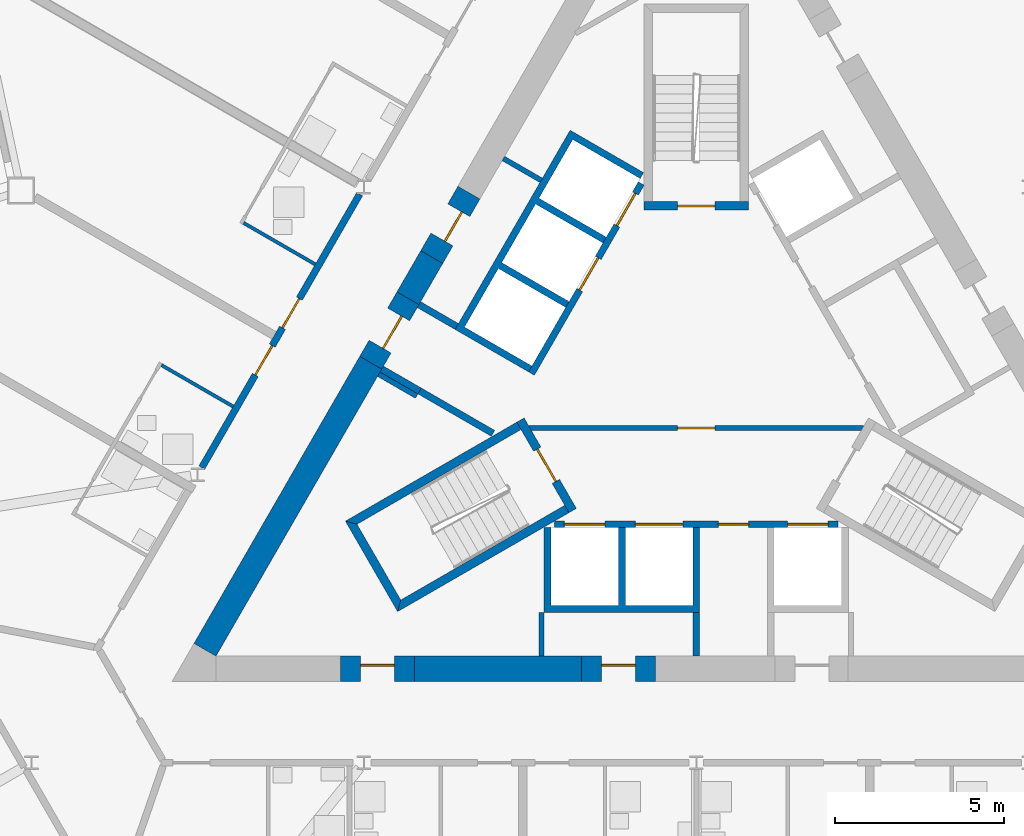
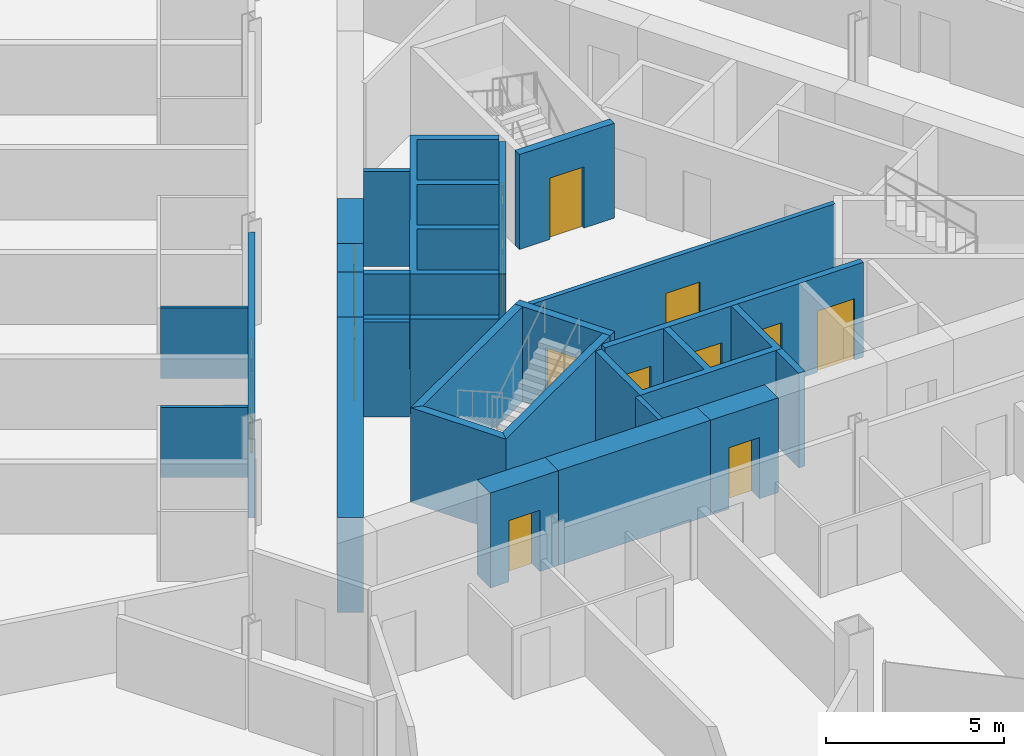
# One storey, part 11 of 23: 27 walls, 15 doors, 15 openings.
"""IFC4 building model written with IfcOpenShell, lengths in metres."""

from ifc_helpers import new_model, si_unit, direction, frame, frame_2d, origin, place, context, subcontext, project, spatial, polyline, rectangle, outline, extrude, material, layer, layer_set, type_object, element, fill, save


model = new_model("IFC4")

# Units and contexts
model_context = context("Model", 3, precision=1e-05, world=origin(), true_north=direction((0.0, 1.0)))
body_context = subcontext(model_context, "Body", "Model", "MODEL_VIEW")
ifc_project = project(units=[si_unit("LENGTHUNIT", "METRE"), si_unit("AREAUNIT", "SQUARE_METRE"), si_unit("VOLUMEUNIT", "CUBIC_METRE"), si_unit("PLANEANGLEUNIT", "RADIAN"), si_unit("MASSUNIT", "GRAM", prefix="KILO")], contexts=[model_context])

# Site, building, storey
site_placement = place(None, origin())
site = spatial("IfcSite", under=ifc_project, at=site_placement, CompositionType="ELEMENT")
building_placement = place(site_placement, origin())
building = spatial("IfcBuilding", under=site, at=building_placement, Name="Cormorant Prow Tower", CompositionType="ELEMENT")
storey_placement = place(building_placement, frame((0.0, 0.0, 187.199951171875)))
storey = spatial("IfcBuildingStorey", under=building, at=storey_placement, Name="L40", CompositionType="ELEMENT", Elevation=187.199951171875)

# Wall, opening, door
ifc_material_1 = material(Name="Gypsum board partition")
ifc_layer_1 = layer(ifc_material_1, 0.14990234375)
ifc_layer_set_1 = layer_set([ifc_layer_1], Name="Gypsum board partition")
wall_type_1 = type_object("IfcWallType", Name="Core partition 150", PredefinedType="PARTITIONING", material=ifc_layer_set_1)
wall_1_placement = place(storey_placement, frame((-4.941162109375, -1.449951171875, 0.0), z_axis=(0.0, 0.0, 1.0), x_axis=(1.0, 0.0, 0.0)))
wall_1 = element("IfcWall", 1, at=wall_1_placement, inside=storey, type_object=wall_type_1, Name="Firefighting lobby partition", PredefinedType="PARTITIONING", context=body_context, shape_type="SweptSolid", body=[
    extrude(rectangle(XDim=9.88232421875, YDim=0.14990234375, at=frame_2d((4.941162109375, 0.0))), origin(), (0.0, 0.0, 1.0), 3.25),
])
opening_1_placement = place(wall_1_placement, frame((4.39111328125, 0.0, 0.0)))
opening_1 = element("IfcOpeningElement", 2, at=opening_1_placement, cuts=wall_1, Name="Opening L40-C10", PredefinedType="OPENING", context=body_context, shape_type="SweptSolid", body=[
    extrude(rectangle(XDim=1.10009765625, YDim=2.10009765625, at=frame_2d((0.550048828125, 1.050048828125))), frame((0.0, 0.0849609375, 0.0), z_axis=(0.0, -1.0, 0.0), x_axis=(1.0, 0.0, 0.0)), (0.0, 0.0, 1.0), 0.169921875),
])
ifc_material_2 = material(Name="Painted steel", Category="steel")
door_type_1 = type_object("IfcDoorType", Name="Firefighting lobby door 1100x2100", OperationType="NOTDEFINED", PredefinedType="DOOR", material=ifc_material_2)
door_1_placement = place(opening_1_placement, origin())
door_1 = element("IfcDoor", 3, at=door_1_placement, inside=storey, type_object=door_type_1, Name="Firefighting lobby door", OperationType="SINGLE_SWING_LEFT", OverallHeight=2.10009765625, OverallWidth=1.10009765625, PredefinedType="DOOR", context=body_context, shape_type="SweptSolid", body=[
    extrude(rectangle(XDim=1.10009765625, YDim=2.10009765625, at=frame_2d((0.550048828125, 1.050048828125))), frame((0.0, 0.02490234375, 0.0), z_axis=(0.0, -1.0, 0.0), x_axis=(1.0, 0.0, 0.0)), (0.0, 0.0, 1.0), 0.050048828125),
])
fill(opening_1, door_1)

# Walls
for number, where, z_axis, x_axis, name in (
    (4, (-4.574951171875, -6.906005859375, 0.0), (0.0, 0.0, 1.0), (0.0, -1.0, 0.0), "Service room partition"),
    (5, (-8.268310546875, -0.509033203125, 0.0), (0.0, 0.0, 1.0), (-0.866003189247, 0.500038474733, 0.0), "Service room partition"),
    (6, (-5.705322265625, 6.515869140625, 0.0), (0.0, 0.0, 1.0), (0.866003189247, -0.500038474733, 0.0), "Service room partition"),
):
    element("IfcWall", number, at=place(storey_placement, frame(where, z_axis=z_axis, x_axis=x_axis)), inside=storey, type_object=wall_type_1, Name=name, PredefinedType="PARTITIONING", context=body_context, shape_type="SweptSolid", body=[
        extrude(rectangle(XDim=1.29296875, YDim=0.14990234375, at=frame_2d((0.646484375, 0.0))), origin(), (0.0, 0.0, 1.0), 3.25),
    ])
ifc_material_3 = material(Name="Concrete 8000 psi", Category="concrete")
ifc_layer_2 = layer(ifc_material_3, 0.75)
ifc_layer_set_2 = layer_set([ifc_layer_2], Name="Concrete 8000 psi")
wall_type_2 = type_object("IfcWallType", Name="Core shear wall 750", PredefinedType="SHEAR", material=ifc_layer_set_2)
wall_2_placement = place(storey_placement, frame((-8.325439453125, -8.573974609375, 0.0), z_axis=(0.0, 0.0, 1.0), x_axis=(1.0, 0.0, 0.0)))
element("IfcWall", 7, at=wall_2_placement, inside=storey, type_object=wall_type_2, Name="Core wall", PredefinedType="SHEAR", context=body_context, shape_type="SweptSolid", body=[
    extrude(rectangle(XDim=4.925537109375, YDim=0.75, at=frame_2d((2.462890625, 0.0))), origin(), (0.0, 0.0, 1.0), 3.25),
])
wall_3_placement = place(storey_placement, frame((-9.625244140625, 0.4765625, 0.0), z_axis=(0.0, 0.0, 1.0), x_axis=(-0.499986234705, -0.866033351035, 0.0)))
element("IfcWall", 8, at=wall_3_placement, inside=storey, type_object=wall_type_2, Name="Core wall", PredefinedType="SHEAR", context=body_context, shape_type="SweptSolid", body=[
    extrude(rectangle(XDim=9.801025390625, YDim=0.75, at=frame_2d((4.900390625, 0.0))), origin(), (0.0, 0.0, 1.0), 3.25),
])
wall_4_placement = place(storey_placement, frame((-7.8212890625, 3.600830078125, 0.0), z_axis=(0.0, 0.0, 1.0), x_axis=(-0.49996263964, -0.866046972724, 0.0)))
element("IfcWall", 9, at=wall_4_placement, inside=storey, type_object=wall_type_2, Name="Core wall", PredefinedType="SHEAR", context=body_context, shape_type="SweptSolid", body=[
    extrude(rectangle(XDim=1.40771484375, YDim=0.75, at=frame_2d((0.703857421875, 0.0))), origin(), (0.0, 0.0, 1.0), 3.25),
])

# Wall, opening, door
wall_5_placement = place(storey_placement, frame((-3.39990234375, -8.573974609375, 0.0), z_axis=(0.0, 0.0, 1.0), x_axis=(1.0, 0.0, 0.0)))
wall_5 = element("IfcWall", 10, at=wall_5_placement, inside=storey, type_object=wall_type_2, Name="Core wall door panel", PredefinedType="SHEAR", context=body_context, shape_type="SweptSolid", body=[
    extrude(rectangle(XDim=2.199951171875, YDim=0.75, at=frame_2d((1.10009765625, 0.0))), origin(), (0.0, 0.0, 1.0), 3.25),
])
opening_2_placement = place(wall_5_placement, frame((0.60009765625, 0.0, 0.0)))
opening_2 = element("IfcOpeningElement", 11, at=opening_2_placement, cuts=wall_5, Name="Opening L40-C14", PredefinedType="OPENING", context=body_context, shape_type="SweptSolid", body=[
    extrude(rectangle(XDim=1.0, YDim=2.10009765625, at=frame_2d((0.5, 1.050048828125))), frame((0.0, 0.385009765625, 0.0), z_axis=(0.0, -1.0, 0.0), x_axis=(1.0, 0.0, 0.0)), (0.0, 0.0, 1.0), 0.77001953125),
])
ifc_material_4 = material(Name="Painted steel", Category="steel")
door_type_2 = type_object("IfcDoorType", Name="Service door 1000x2100", OperationType="NOTDEFINED", PredefinedType="DOOR", material=ifc_material_4)
door_2_placement = place(opening_2_placement, origin())
door_2 = element("IfcDoor", 12, at=door_2_placement, inside=storey, type_object=door_type_2, Name="Core door, Housekeeping store", OperationType="SINGLE_SWING_RIGHT", OverallHeight=2.10009765625, OverallWidth=1.0, PredefinedType="DOOR", context=body_context, shape_type="SweptSolid", body=[
    extrude(rectangle(XDim=1.0, YDim=2.10009765625, at=frame_2d((0.5, 1.050048828125))), frame((0.0, 0.1298828125, 0.0), z_axis=(0.0, -1.0, 0.0), x_axis=(1.0, 0.0, 0.0)), (0.0, 0.0, 1.0), 0.050048828125),
])
fill(opening_2, door_2)

wall_6_placement = place(storey_placement, frame((-10.525390625, -8.573974609375, 0.0), z_axis=(0.0, 0.0, 1.0), x_axis=(1.0, 0.0, 0.0)))
wall_6 = element("IfcWall", 13, at=wall_6_placement, inside=storey, type_object=wall_type_2, Name="Core wall door panel", PredefinedType="SHEAR", context=body_context, shape_type="SweptSolid", body=[
    extrude(rectangle(XDim=2.199951171875, YDim=0.75, at=frame_2d((1.10009765625, 0.0))), origin(), (0.0, 0.0, 1.0), 3.25),
])
opening_3_placement = place(wall_6_placement, frame((0.60009765625, 0.0, 0.0)))
opening_3 = element("IfcOpeningElement", 14, at=opening_3_placement, cuts=wall_6, Name="Opening L40-C16", PredefinedType="OPENING", context=body_context, shape_type="SweptSolid", body=[
    extrude(rectangle(XDim=1.0, YDim=2.10009765625, at=frame_2d((0.5, 1.050048828125))), frame((0.0, 0.385009765625, 0.0), z_axis=(0.0, -1.0, 0.0), x_axis=(1.0, 0.0, 0.0)), (0.0, 0.0, 1.0), 0.77001953125),
])
door_3_placement = place(opening_3_placement, origin())
door_3 = element("IfcDoor", 15, at=door_3_placement, inside=storey, type_object=door_type_2, Name="Core door, Linen store", OperationType="SINGLE_SWING_RIGHT", OverallHeight=2.10009765625, OverallWidth=1.0, PredefinedType="DOOR", context=body_context, shape_type="SweptSolid", body=[
    extrude(rectangle(XDim=1.0, YDim=2.10009765625, at=frame_2d((0.5, 1.050048828125))), frame((0.0, 0.1298828125, 0.0), z_axis=(0.0, -1.0, 0.0), x_axis=(1.0, 0.0, 0.0)), (0.0, 0.0, 1.0), 0.050048828125),
])
fill(opening_3, door_3)

wall_7_placement = place(storey_placement, frame((-6.721435546875, 5.506103515625, 0.0), z_axis=(0.0, 0.0, 1.0), x_axis=(-0.499946605688, -0.86605622881, 0.0)))
wall_7 = element("IfcWall", 16, at=wall_7_placement, inside=storey, type_object=wall_type_2, Name="Core wall door panel", PredefinedType="SHEAR", context=body_context, shape_type="SweptSolid", body=[
    extrude(rectangle(XDim=2.199951171875, YDim=0.75, at=frame_2d((1.10009765625, 0.0))), origin(), (0.0, 0.0, 1.0), 3.25),
])
opening_4_placement = place(wall_7_placement, frame((0.60009765625, 0.0, 0.0)))
opening_4 = element("IfcOpeningElement", 17, at=opening_4_placement, cuts=wall_7, Name="Opening L40-C19", PredefinedType="OPENING", context=body_context, shape_type="SweptSolid", body=[
    extrude(rectangle(XDim=1.0, YDim=2.10009765625, at=frame_2d((0.5, 1.050048828125))), frame((0.0, 0.385009765625, 0.0), z_axis=(0.0, -1.0, 0.0), x_axis=(1.0, 0.0, 0.0)), (0.0, 0.0, 1.0), 0.77001953125),
])
door_4_placement = place(opening_4_placement, origin())
door_4 = element("IfcDoor", 18, at=door_4_placement, inside=storey, type_object=door_type_2, Name="Core door, Electrical room", OperationType="SINGLE_SWING_LEFT", OverallHeight=2.10009765625, OverallWidth=1.0, PredefinedType="DOOR", context=body_context, shape_type="SweptSolid", body=[
    extrude(rectangle(XDim=1.0, YDim=2.10009765625, at=frame_2d((0.5, 1.050048828125))), frame((0.0, 0.1298828125, 0.0), z_axis=(0.0, -1.0, 0.0), x_axis=(1.0, 0.0, 0.0)), (0.0, 0.0, 1.0), 0.050048828125),
])
fill(opening_4, door_4)

wall_8_placement = place(storey_placement, frame((-8.525146484375, 2.381591796875, 0.0), z_axis=(0.0, 0.0, 1.0), x_axis=(-0.500077893725, -0.86598042715, 0.0)))
wall_8 = element("IfcWall", 19, at=wall_8_placement, inside=storey, type_object=wall_type_2, Name="Core wall door panel", PredefinedType="SHEAR", context=body_context, shape_type="SweptSolid", body=[
    extrude(rectangle(XDim=2.199951171875, YDim=0.75, at=frame_2d((1.10009765625, 0.0))), origin(), (0.0, 0.0, 1.0), 3.25),
])
opening_5_placement = place(wall_8_placement, frame((0.550048828125, 0.0, 0.0)))
opening_5 = element("IfcOpeningElement", 20, at=opening_5_placement, cuts=wall_8, Name="Opening L40-C22", PredefinedType="OPENING", context=body_context, shape_type="SweptSolid", body=[
    extrude(rectangle(XDim=1.10009765625, YDim=2.10009765625, at=frame_2d((0.550048828125, 1.050048828125))), frame((0.0, 0.385009765625, 0.0), z_axis=(0.0, -1.0, 0.0), x_axis=(1.0, 0.0, 0.0)), (0.0, 0.0, 1.0), 0.77001953125),
])
ifc_material_5 = material(Name="Painted steel", Category="steel")
door_type_3 = type_object("IfcDoorType", Name="Core door 1100x2100", OperationType="NOTDEFINED", PredefinedType="DOOR", material=ifc_material_5)
door_5_placement = place(opening_5_placement, origin())
door_5 = element("IfcDoor", 21, at=door_5_placement, inside=storey, type_object=door_type_3, Name="Core door, lift lobby", OperationType="SINGLE_SWING_RIGHT", OverallHeight=2.10009765625, OverallWidth=1.10009765625, PredefinedType="DOOR", context=body_context, shape_type="SweptSolid", body=[
    extrude(rectangle(XDim=1.10009765625, YDim=2.10009765625, at=frame_2d((0.550048828125, 1.050048828125))), frame((0.0, 0.1298828125, 0.0), z_axis=(0.0, -1.0, 0.0), x_axis=(1.0, 0.0, 0.0)), (0.0, 0.0, 1.0), 0.050048828125),
])
fill(opening_5, door_5)

# Wall, openings, doors
ifc_material_6 = material(Name="Gypsum board corridor wall")
ifc_layer_3 = layer(ifc_material_6, 0.199951171875)
ifc_layer_set_3 = layer_set([ifc_layer_3], Name="Gypsum board corridor wall")
wall_type_3 = type_object("IfcWallType", Name="Corridor wall 200", PredefinedType="PARTITIONING", material=ifc_layer_set_3)
wall_9_placement = place(storey_placement, frame((-14.619384765625, -2.62353515625, 0.0), z_axis=(0.0, 0.0, 1.0), x_axis=(0.50000393355, 0.866023132736, 0.0)))
wall_9 = element("IfcWall", 22, at=wall_9_placement, inside=storey, type_object=wall_type_3, Name="Corridor wall", PredefinedType="PARTITIONING", context=body_context, shape_type="SweptSolid", body=[
    extrude(rectangle(XDim=9.3349609375, YDim=0.199951171875, at=frame_2d((4.66748046875, 0.0))), origin(), (0.0, 0.0, 1.0), 3.25),
])
opening_6_placement = place(wall_9_placement, frame((4.770263671875, 0.0, 0.0)))
opening_6 = element("IfcOpeningElement", 23, at=opening_6_placement, cuts=wall_9, Name="Opening L40-F30", PredefinedType="OPENING", context=body_context, shape_type="SweptSolid", body=[
    extrude(rectangle(XDim=1.0, YDim=2.10009765625, at=frame_2d((0.5, 1.050048828125))), frame((0.0, 0.10986328125, 0.0), z_axis=(0.0, -1.0, 0.0), x_axis=(1.0, 0.0, 0.0)), (0.0, 0.0, 1.0), 0.219970703125),
])
opening_7_placement = place(wall_9_placement, frame((3.1630859375, 0.0, 0.0)))
opening_7 = element("IfcOpeningElement", 24, at=opening_7_placement, cuts=wall_9, Name="Opening L40-F32", PredefinedType="OPENING", context=body_context, shape_type="SweptSolid", body=[
    extrude(rectangle(XDim=1.0, YDim=2.10009765625, at=frame_2d((0.5, 1.050048828125))), frame((0.0, 0.10986328125, 0.0), z_axis=(0.0, -1.0, 0.0), x_axis=(1.0, 0.0, 0.0)), (0.0, 0.0, 1.0), 0.219970703125),
])
ifc_material_7 = material(Name="Timber door leaf", Category="wood")
door_type_4 = type_object("IfcDoorType", Name="Flat or room entrance door 1000x2100", OperationType="NOTDEFINED", PredefinedType="DOOR", material=ifc_material_7)
door_6_placement = place(opening_6_placement, origin())
door_6 = element("IfcDoor", 25, at=door_6_placement, inside=storey, type_object=door_type_4, Name="Guest room door", OperationType="SINGLE_SWING_LEFT", OverallHeight=2.10009765625, OverallWidth=1.0, PredefinedType="DOOR", context=body_context, shape_type="SweptSolid", body=[
    extrude(rectangle(XDim=1.0, YDim=2.10009765625, at=frame_2d((0.5, 1.050048828125))), frame((0.0, 0.02490234375, 0.0), z_axis=(0.0, -1.0, 0.0), x_axis=(1.0, 0.0, 0.0)), (0.0, 0.0, 1.0), 0.050048828125),
])
fill(opening_6, door_6)
door_7_placement = place(opening_7_placement, origin())
door_7 = element("IfcDoor", 26, at=door_7_placement, inside=storey, type_object=door_type_4, Name="Guest room door", OperationType="SINGLE_SWING_RIGHT", OverallHeight=2.10009765625, OverallWidth=1.0, PredefinedType="DOOR", context=body_context, shape_type="SweptSolid", body=[
    extrude(rectangle(XDim=1.0, YDim=2.10009765625, at=frame_2d((0.5, 1.050048828125))), frame((0.0, 0.02490234375, 0.0), z_axis=(0.0, -1.0, 0.0), x_axis=(1.0, 0.0, 0.0)), (0.0, 0.0, 1.0), 0.050048828125),
])
fill(opening_7, door_7)

# Walls
ifc_material_8 = material(Name="Gypsum board partition")
ifc_layer_4 = layer(ifc_material_8, 0.10009765625)
ifc_layer_set_4 = layer_set([ifc_layer_4], Name="Gypsum board partition")
wall_type_4 = type_object("IfcWallType", Name="Internal partition 100", PredefinedType="PARTITIONING", material=ifc_layer_set_4)
wall_10_placement = place(storey_placement, frame((-13.38671875, 4.611083984375, 0.0), z_axis=(0.0, 0.0, 1.0), x_axis=(0.866032905446, -0.499987006516, 0.0)))
element("IfcWall", 27, at=wall_10_placement, inside=storey, type_object=wall_type_4, Name="Internal partition", PredefinedType="PARTITIONING", context=body_context, shape_type="SweptSolid", body=[
    extrude(rectangle(XDim=2.44970703125, YDim=0.10009765625, at=frame_2d((1.224853515625, 0.0))), origin(), (0.0, 0.0, 1.0), 2.404296875),
])
wall_11_placement = place(storey_placement, frame((-15.81396484375, 0.4072265625, 0.0), z_axis=(0.0, 0.0, 1.0), x_axis=(0.866057815567, -0.499943856944, 0.0)))
element("IfcWall", 28, at=wall_11_placement, inside=storey, type_object=wall_type_4, Name="Internal partition", PredefinedType="PARTITIONING", context=body_context, shape_type="SweptSolid", body=[
    extrude(rectangle(XDim=2.449951171875, YDim=0.10009765625, at=frame_2d((1.22509765625, 0.0))), origin(), (0.0, 0.0, 1.0), 2.404296875),
])

# Wall, openings, doors
ifc_material_9 = material(Name="Concrete 5000 psi", Category="concrete")
ifc_layer_5 = layer(ifc_material_9, 0.199951171875)
ifc_layer_set_5 = layer_set([ifc_layer_5], Name="Concrete 5000 psi")
wall_type_5 = type_object("IfcWallType", Name="Lift lobby wall 200", PredefinedType="SOLIDWALL", material=ifc_layer_set_5)
wall_12_placement = place(storey_placement, frame((-4.1865234375, -4.300048828125, 0.0), z_axis=(0.0, 0.0, 1.0), x_axis=(1.0, 0.0, 0.0)))
wall_12 = element("IfcWall", 29, at=wall_12_placement, inside=storey, type_object=wall_type_5, Name="Lift lobby wall, S block", PredefinedType="SOLIDWALL", context=body_context, shape_type="SweptSolid", body=[
    extrude(rectangle(XDim=8.373046875, YDim=0.199951171875, at=frame_2d((4.1865234375, 0.0))), origin(), (0.0, 0.0, 1.0), 3.25),
])
opening_8_placement = place(wall_12_placement, frame((0.28662109375, 0.0, 0.0)))
opening_8 = element("IfcOpeningElement", 30, at=opening_8_placement, cuts=wall_12, Name="Opening L40-C01", PredefinedType="OPENING", context=body_context, shape_type="SweptSolid", body=[
    extrude(rectangle(XDim=1.199951171875, YDim=2.10009765625, at=frame_2d((0.60009765625, 1.050048828125))), frame((0.0, 0.10986328125, 0.0), z_axis=(0.0, -1.0, 0.0), x_axis=(1.0, 0.0, 0.0)), (0.0, 0.0, 1.0), 0.219970703125),
])
opening_9_placement = place(wall_12_placement, frame((2.38671875, 0.0, 0.0)))
opening_9 = element("IfcOpeningElement", 31, at=opening_9_placement, cuts=wall_12, Name="Opening L40-C02", PredefinedType="OPENING", context=body_context, shape_type="SweptSolid", body=[
    extrude(rectangle(XDim=1.39990234375, YDim=2.10009765625, at=frame_2d((0.699951171875, 1.050048828125))), frame((0.0, 0.10986328125, 0.0), z_axis=(0.0, -1.0, 0.0), x_axis=(1.0, 0.0, 0.0)), (0.0, 0.0, 1.0), 0.219970703125),
])
opening_10_placement = place(wall_12_placement, frame((4.836669921875, 0.0, 0.0)))
opening_10 = element("IfcOpeningElement", 32, at=opening_10_placement, cuts=wall_12, Name="Opening L40-C03", PredefinedType="OPENING", context=body_context, shape_type="SweptSolid", body=[
    extrude(rectangle(XDim=0.89990234375, YDim=2.10009765625, at=frame_2d((0.449951171875, 1.050048828125))), frame((0.0, 0.10986328125, 0.0), z_axis=(0.0, -1.0, 0.0), x_axis=(1.0, 0.0, 0.0)), (0.0, 0.0, 1.0), 0.219970703125),
])
opening_11_placement = place(wall_12_placement, frame((6.88671875, 0.0, 0.0)))
opening_11 = element("IfcOpeningElement", 33, at=opening_11_placement, cuts=wall_12, Name="Opening L40-C04", PredefinedType="OPENING", context=body_context, shape_type="SweptSolid", body=[
    extrude(rectangle(XDim=1.199951171875, YDim=2.10009765625, at=frame_2d((0.60009765625, 1.050048828125))), frame((0.0, 0.10986328125, 0.0), z_axis=(0.0, -1.0, 0.0), x_axis=(1.0, 0.0, 0.0)), (0.0, 0.0, 1.0), 0.219970703125),
])
ifc_material_10 = material(Name="Painted steel", Category="steel")
door_type_5 = type_object("IfcDoorType", Name="Firefighting lift landing door 1200x2100", OperationType="SLIDING_TO_LEFT", PredefinedType="DOOR", material=ifc_material_10)
door_8_placement = place(opening_8_placement, origin())
door_8 = element("IfcDoor", 34, at=door_8_placement, inside=storey, type_object=door_type_5, Name="Landing door FL1", OperationType="SLIDING_TO_LEFT", OverallHeight=2.10009765625, OverallWidth=1.199951171875, PredefinedType="DOOR", context=body_context, shape_type="SweptSolid", body=[
    extrude(rectangle(XDim=1.199951171875, YDim=2.10009765625, at=frame_2d((0.60009765625, 1.050048828125))), frame((0.0, 0.02490234375, 0.0), z_axis=(0.0, -1.0, 0.0), x_axis=(1.0, 0.0, 0.0)), (0.0, 0.0, 1.0), 0.050048828125),
])
fill(opening_8, door_8)
door_9_placement = place(opening_11_placement, origin())
door_9 = element("IfcDoor", 35, at=door_9_placement, inside=storey, type_object=door_type_5, Name="Landing door FL2", OperationType="SLIDING_TO_LEFT", OverallHeight=2.10009765625, OverallWidth=1.199951171875, PredefinedType="DOOR", context=body_context, shape_type="SweptSolid", body=[
    extrude(rectangle(XDim=1.199951171875, YDim=2.10009765625, at=frame_2d((0.60009765625, 1.050048828125))), frame((0.0, 0.02490234375, 0.0), z_axis=(0.0, -1.0, 0.0), x_axis=(1.0, 0.0, 0.0)), (0.0, 0.0, 1.0), 0.050048828125),
])
fill(opening_11, door_9)
ifc_material_11 = material(Name="Painted steel", Category="steel")
door_type_6 = type_object("IfcDoorType", Name="Service door 900x2100", OperationType="NOTDEFINED", PredefinedType="DOOR", material=ifc_material_11)
door_10_placement = place(opening_10_placement, origin())
door_10 = element("IfcDoor", 36, at=door_10_placement, inside=storey, type_object=door_type_6, Name="Service door, Linen store", OperationType="SINGLE_SWING_RIGHT", OverallHeight=2.10009765625, OverallWidth=0.89990234375, PredefinedType="DOOR", context=body_context, shape_type="SweptSolid", body=[
    extrude(rectangle(XDim=0.89990234375, YDim=2.10009765625, at=frame_2d((0.449951171875, 1.050048828125))), frame((0.0, 0.02490234375, 0.0), z_axis=(0.0, -1.0, 0.0), x_axis=(1.0, 0.0, 0.0)), (0.0, 0.0, 1.0), 0.050048828125),
])
fill(opening_10, door_10)
ifc_material_12 = material(Name="Painted steel", Category="steel")
door_type_7 = type_object("IfcDoorType", Name="Service lift landing door 1400x2100", OperationType="SLIDING_TO_LEFT", PredefinedType="DOOR", material=ifc_material_12)
door_11_placement = place(opening_9_placement, origin())
door_11 = element("IfcDoor", 37, at=door_11_placement, inside=storey, type_object=door_type_7, Name="Landing door SL1", OperationType="SLIDING_TO_LEFT", OverallHeight=2.10009765625, OverallWidth=1.39990234375, PredefinedType="DOOR", context=body_context, shape_type="SweptSolid", body=[
    extrude(rectangle(XDim=1.39990234375, YDim=2.10009765625, at=frame_2d((0.699951171875, 1.050048828125))), frame((0.0, 0.02490234375, 0.0), z_axis=(0.0, -1.0, 0.0), x_axis=(1.0, 0.0, 0.0)), (0.0, 0.0, 1.0), 0.050048828125),
])
fill(opening_9, door_11)

wall_13_placement = place(storey_placement, frame((-1.630615234375, 5.775634765625, 0.0), z_axis=(0.0, 0.0, 1.0), x_axis=(-0.499992876559, -0.866029516466, 0.0)))
wall_13 = element("IfcWall", 38, at=wall_13_placement, inside=storey, type_object=wall_type_5, Name="Lift lobby wall, WNW block", PredefinedType="SOLIDWALL", context=body_context, shape_type="SweptSolid", body=[
    extrude(rectangle(XDim=6.486328125, YDim=0.199951171875, at=frame_2d((3.2431640625, 0.0))), origin(), (0.0, 0.0, 1.0), 3.25),
])
opening_12_placement = place(wall_13_placement, frame((0.336669921875, 0.0, 0.0)))
opening_12 = element("IfcOpeningElement", 39, at=opening_12_placement, cuts=wall_13, Name="Opening L40-C08", PredefinedType="OPENING", context=body_context, shape_type="SweptSolid", body=[
    extrude(rectangle(XDim=1.10009765625, YDim=2.10009765625, at=frame_2d((0.550048828125, 1.050048828125))), frame((0.0, 0.10986328125, 0.0), z_axis=(0.0, -1.0, 0.0), x_axis=(1.0, 0.0, 0.0)), (0.0, 0.0, 1.0), 0.219970703125),
])
opening_13_placement = place(wall_13_placement, frame((2.53662109375, 0.0, 0.0)))
opening_13 = element("IfcOpeningElement", 40, at=opening_13_placement, cuts=wall_13, Name="Opening L40-C09", PredefinedType="OPENING", context=body_context, shape_type="SweptSolid", body=[
    extrude(rectangle(XDim=1.10009765625, YDim=2.10009765625, at=frame_2d((0.550048828125, 1.050048828125))), frame((0.0, 0.10986328125, 0.0), z_axis=(0.0, -1.0, 0.0), x_axis=(1.0, 0.0, 0.0)), (0.0, 0.0, 1.0), 0.219970703125),
])
ifc_material_13 = material(Name="Painted steel", Category="steel")
door_type_8 = type_object("IfcDoorType", Name="Lift landing door 1100x2100", OperationType="SLIDING_TO_LEFT", PredefinedType="DOOR", material=ifc_material_13)
door_12_placement = place(opening_12_placement, origin())
door_12 = element("IfcDoor", 41, at=door_12_placement, inside=storey, type_object=door_type_8, Name="Landing door MR2", OperationType="SLIDING_TO_LEFT", OverallHeight=2.10009765625, OverallWidth=1.10009765625, PredefinedType="DOOR", context=body_context, shape_type="SweptSolid", body=[
    extrude(rectangle(XDim=1.10009765625, YDim=2.10009765625, at=frame_2d((0.550048828125, 1.050048828125))), frame((0.0, 0.02490234375, 0.0), z_axis=(0.0, -1.0, 0.0), x_axis=(1.0, 0.0, 0.0)), (0.0, 0.0, 1.0), 0.050048828125),
])
fill(opening_12, door_12)
door_13_placement = place(opening_13_placement, origin())
door_13 = element("IfcDoor", 42, at=door_13_placement, inside=storey, type_object=door_type_8, Name="Landing door MR3", OperationType="SLIDING_TO_LEFT", OverallHeight=2.10009765625, OverallWidth=1.10009765625, PredefinedType="DOOR", context=body_context, shape_type="SweptSolid", body=[
    extrude(rectangle(XDim=1.10009765625, YDim=2.10009765625, at=frame_2d((0.550048828125, 1.050048828125))), frame((0.0, 0.02490234375, 0.0), z_axis=(0.0, -1.0, 0.0), x_axis=(1.0, 0.0, 0.0)), (0.0, 0.0, 1.0), 0.050048828125),
])
fill(opening_13, door_13)

# Walls
ifc_material_14 = material(Name="Concrete 8000 psi", Category="concrete")
ifc_layer_6 = layer(ifc_material_14, 0.199951171875)
ifc_layer_set_6 = layer_set([ifc_layer_6], Name="Concrete 8000 psi")
wall_type_6 = type_object("IfcWallType", Name="Lift shaft wall 200", PredefinedType="SHEAR", material=ifc_layer_set_6)
wall_14_placement = place(storey_placement, origin())
element("IfcWall", 43, at=wall_14_placement, inside=storey, type_object=wall_type_6, Name="Lift shaft walls, S block", PredefinedType="SHEAR", context=body_context, shape_type="SweptSolid", body=[
    extrude(outline(polyline([(0.10009765625, -4.39990234375), (0.10009765625, -6.906005859375), (-4.5, -6.906005859375), (-4.5, -4.39990234375), (-4.300048828125, -4.39990234375), (-4.300048828125, -6.699951171875), (-2.300048828125, -6.699951171875), (-2.300048828125, -4.39990234375), (-2.10009765625, -4.39990234375), (-2.10009765625, -6.699951171875), (-0.10009765625, -6.699951171875), (-0.10009765625, -4.39990234375), (0.10009765625, -4.39990234375)])), origin(), (0.0, 0.0, 1.0), 3.25),
])
wall_15_placement = place(storey_placement, frame((0.0, -6.906005859375, 0.0), z_axis=(0.0, 0.0, 1.0), x_axis=(0.0, -1.0, 0.0)))
element("IfcWall", 44, at=wall_15_placement, inside=storey, type_object=wall_type_6, Name="Store side wall", PredefinedType="SHEAR", context=body_context, shape_type="SweptSolid", body=[
    extrude(rectangle(XDim=1.29296875, YDim=0.199951171875, at=frame_2d((0.646484375, 0.0))), origin(), (0.0, 0.0, 1.0), 3.25),
])
wall_16_placement = place(storey_placement, origin())
element("IfcWall", 45, at=wall_16_placement, inside=storey, type_object=wall_type_6, Name="Lift shaft walls, WNW block", PredefinedType="SHEAR", context=body_context, shape_type="SweptSolid", body=[
    extrude(outline(polyline([(-6.060546875, -1.697021484375), (-8.230712890625, -0.444091796875), (-8.130859375, -0.27099609375), (-5.96044921875, -1.52392578125), (-6.060546875, -1.697021484375)])), origin(), (0.0, 0.0, 1.0), 3.25),
])
wall_17_placement = place(storey_placement, origin())
element("IfcWall", 46, at=wall_17_placement, inside=storey, type_object=wall_type_6, Name="Lift shaft walls, WNW block", PredefinedType="SHEAR", context=body_context, shape_type="SweptSolid", body=[
    extrude(outline(polyline([(-4.96044921875, 0.2080078125), (-7.130859375, 1.461181640625), (-3.730712890625, 7.35009765625), (-1.560546875, 6.09716796875), (-1.660400390625, 5.923828125), (-3.65234375, 7.073974609375), (-4.65234375, 5.341796875), (-2.660400390625, 4.19189453125), (-2.760498046875, 4.018798828125), (-4.75244140625, 5.168701171875), (-5.75244140625, 3.4365234375), (-3.760498046875, 2.28662109375), (-3.860595703125, 2.11328125), (-5.852294921875, 3.263427734375), (-6.852294921875, 1.53125), (-4.860595703125, 0.38134765625), (-4.96044921875, 0.2080078125)])), origin(), (0.0, 0.0, 1.0), 3.25),
])
for number, where, z_axis, x_axis, name in (
    (47, (-7.080810546875, 1.547607421875, 0.0), (0.0, 0.0, 1.0), (-0.866003189247, 0.500038474733, 0.0), "Lobby passage wall"),
    (48, (-8.180908203125, -0.357421875, 0.0), (0.0, 0.0, 1.0), (-0.866003189247, 0.500038474733, 0.0), "Lobby passage wall"),
):
    element("IfcWall", number, at=place(storey_placement, frame(where, z_axis=z_axis, x_axis=x_axis)), inside=storey, type_object=wall_type_6, Name=name, PredefinedType="SHEAR", context=body_context, shape_type="SweptSolid", body=[
        extrude(rectangle(XDim=1.29296875, YDim=0.199951171875, at=frame_2d((0.646484375, 0.0))), origin(), (0.0, 0.0, 1.0), 3.25),
    ])
ifc_material_15 = material(Name="Concrete 8000 psi", Category="concrete")
ifc_layer_7 = layer(ifc_material_15, 0.25)
ifc_layer_set_7 = layer_set([ifc_layer_7], Name="Concrete 8000 psi")
wall_type_7 = type_object("IfcWallType", Name="Stair wall 250", PredefinedType="SHEAR", material=ifc_layer_set_7)
wall_18_placement = place(storey_placement, origin())
element("IfcWall", 49, at=wall_18_placement, inside=storey, type_object=wall_type_7, Name="Stair ST1 enclosure wall (flank)", PredefinedType="SHEAR", context=body_context, shape_type="SweptSolid", body=[
    extrude(outline(polyline([(-5.30712890625, -1.28125), (-10.37353515625, -4.206298828125), (-10.031982421875, -4.2978515625), (-5.18212890625, -1.497802734375), (-5.30712890625, -1.28125)])), origin(), (0.0, 0.0, 1.0), 3.25),
])
wall_19_placement = place(storey_placement, origin())
element("IfcWall", 50, at=wall_19_placement, inside=storey, type_object=wall_type_7, Name="Stair ST1 enclosure wall (end)", PredefinedType="SHEAR", context=body_context, shape_type="SweptSolid", body=[
    extrude(outline(polyline([(-10.37353515625, -4.206298828125), (-8.82958984375, -6.880615234375), (-8.738037109375, -6.5390625), (-10.031982421875, -4.2978515625), (-10.37353515625, -4.206298828125)])), origin(), (0.0, 0.0, 1.0), 3.25),
])
wall_20_placement = place(storey_placement, origin())
element("IfcWall", 51, at=wall_20_placement, inside=storey, type_object=wall_type_7, Name="Stair ST1 enclosure wall (flank)", PredefinedType="SHEAR", context=body_context, shape_type="SweptSolid", body=[
    extrude(outline(polyline([(-8.738037109375, -6.5390625), (-8.82958984375, -6.880615234375), (-3.76318359375, -3.95556640625), (-3.88818359375, -3.739013671875), (-8.738037109375, -6.5390625)])), origin(), (0.0, 0.0, 1.0), 3.25),
])

# Wall, opening, door
wall_21_placement = place(storey_placement, frame((-5.198974609375, -1.21875, 0.0), z_axis=(0.0, 0.0, 1.0), x_axis=(0.499982516597, -0.866035497597, 0.0)))
wall_21 = element("IfcWall", 52, at=wall_21_placement, inside=storey, type_object=wall_type_7, Name="Stair ST1 door wall", PredefinedType="SHEAR", context=body_context, shape_type="SweptSolid", body=[
    extrude(rectangle(XDim=3.087890625, YDim=0.25, at=frame_2d((1.5439453125, 0.0))), origin(), (0.0, 0.0, 1.0), 3.25),
])
opening_14_placement = place(wall_21_placement, frame((0.993896484375, 0.0, 0.0)))
opening_14 = element("IfcOpeningElement", 53, at=opening_14_placement, cuts=wall_21, Name="Opening L40-C11", PredefinedType="OPENING", context=body_context, shape_type="SweptSolid", body=[
    extrude(rectangle(XDim=1.10009765625, YDim=2.10009765625, at=frame_2d((0.550048828125, 1.050048828125))), frame((0.0, 0.135009765625, 0.0), z_axis=(0.0, -1.0, 0.0), x_axis=(1.0, 0.0, 0.0)), (0.0, 0.0, 1.0), 0.27001953125),
])
ifc_material_16 = material(Name="Painted steel", Category="steel")
door_type_9 = type_object("IfcDoorType", Name="Stair door 1100x2100", OperationType="NOTDEFINED", PredefinedType="DOOR", material=ifc_material_16)
door_14_placement = place(opening_14_placement, origin())
door_14 = element("IfcDoor", 54, at=door_14_placement, inside=storey, type_object=door_type_9, Name="Stair ST1 door", OperationType="SINGLE_SWING_LEFT", OverallHeight=2.10009765625, OverallWidth=1.10009765625, PredefinedType="DOOR", context=body_context, shape_type="SweptSolid", body=[
    extrude(rectangle(XDim=1.10009765625, YDim=2.10009765625, at=frame_2d((0.550048828125, 1.050048828125))), frame((0.0, 0.02490234375, 0.0), z_axis=(0.0, -1.0, 0.0), x_axis=(1.0, 0.0, 0.0)), (0.0, 0.0, 1.0), 0.050048828125),
])
fill(opening_14, door_14)

wall_22_placement = place(storey_placement, frame((1.5439453125, 5.11181640625, 0.0), z_axis=(0.0, 0.0, 1.0), x_axis=(-1.0, 0.0, 0.0)))
wall_22 = element("IfcWall", 55, at=wall_22_placement, inside=storey, type_object=wall_type_7, Name="Stair ST3 door wall", PredefinedType="SHEAR", context=body_context, shape_type="SweptSolid", body=[
    extrude(rectangle(XDim=3.087890625, YDim=0.25, at=frame_2d((1.5439453125, 0.0))), origin(), (0.0, 0.0, 1.0), 3.25),
])
opening_15_placement = place(wall_22_placement, frame((0.993896484375, 0.0, 0.0)))
opening_15 = element("IfcOpeningElement", 56, at=opening_15_placement, cuts=wall_22, Name="Opening L40-C13", PredefinedType="OPENING", context=body_context, shape_type="SweptSolid", body=[
    extrude(rectangle(XDim=1.10009765625, YDim=2.10009765625, at=frame_2d((0.550048828125, 1.050048828125))), frame((0.0, 0.135009765625, 0.0), z_axis=(0.0, -1.0, 0.0), x_axis=(1.0, 0.0, 0.0)), (0.0, 0.0, 1.0), 0.27001953125),
])
door_15_placement = place(opening_15_placement, origin())
door_15 = element("IfcDoor", 57, at=door_15_placement, inside=storey, type_object=door_type_9, Name="Stair ST3 door", OperationType="SINGLE_SWING_LEFT", OverallHeight=2.10009765625, OverallWidth=1.10009765625, PredefinedType="DOOR", context=body_context, shape_type="SweptSolid", body=[
    extrude(rectangle(XDim=1.10009765625, YDim=2.10009765625, at=frame_2d((0.550048828125, 1.050048828125))), frame((0.0, 0.02490234375, 0.0), z_axis=(0.0, -1.0, 0.0), x_axis=(1.0, 0.0, 0.0)), (0.0, 0.0, 1.0), 0.050048828125),
])
fill(opening_15, door_15)

save(model, "model.ifc")
